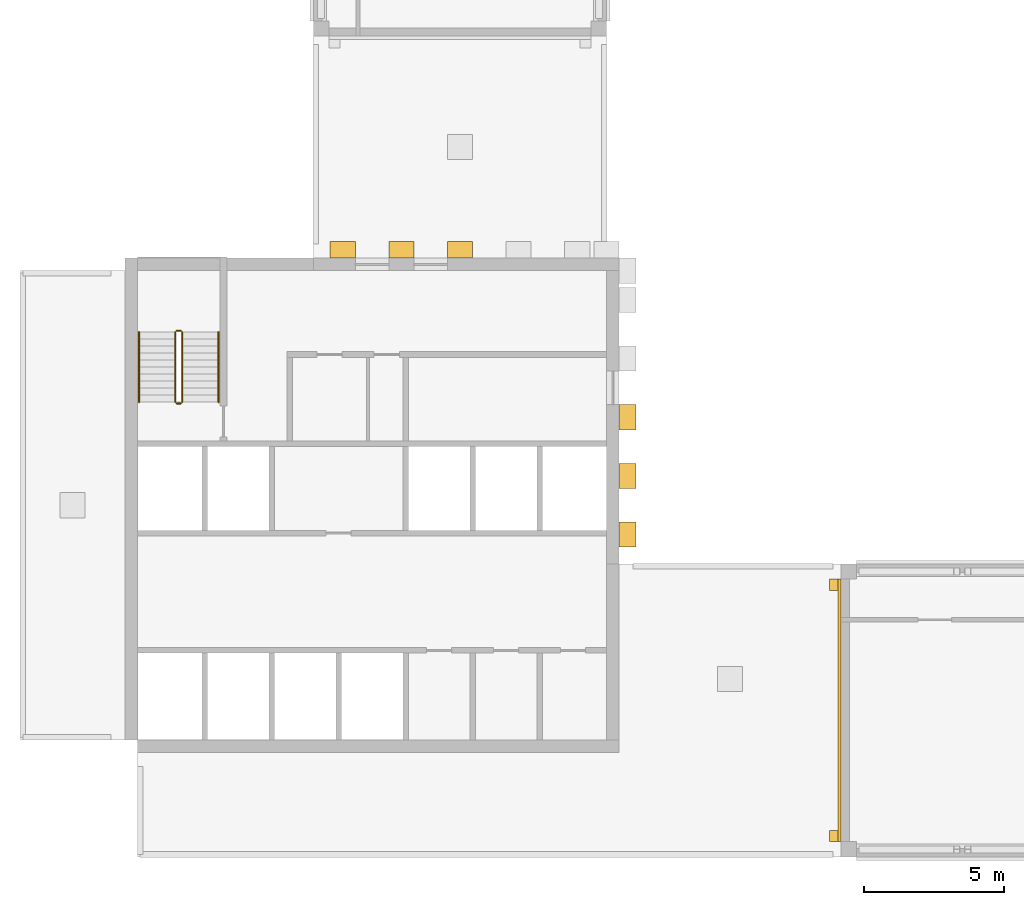
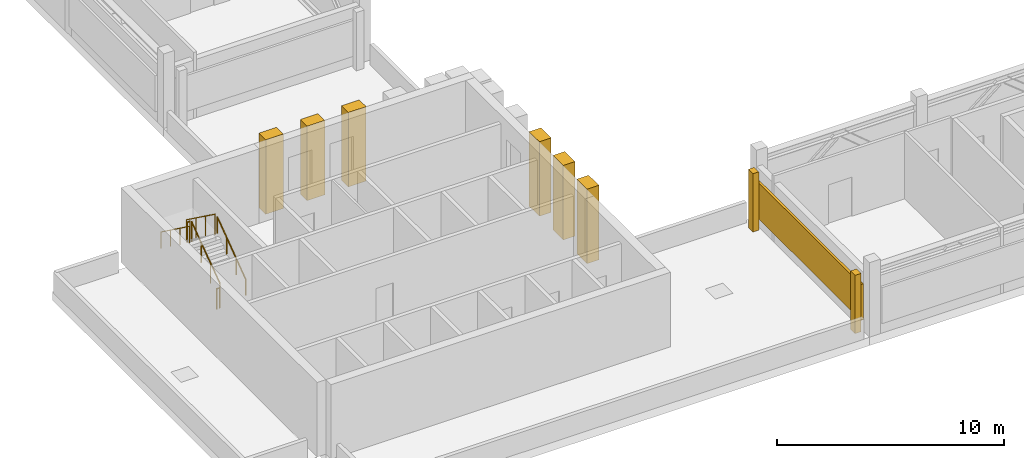
# One storey, part 4 of 8: 9 coverings, 6 railings.
"""IFC4 building model written with IfcOpenShell, lengths in metres."""

from ifc_helpers import new_model, si_unit, direction, frame, origin, origin_2d, place, context, subcontext, project, spatial, rectangle, circle, extrude, source, transform, mapped, material, type_object, element, save


model = new_model("IFC4")

# Units and contexts
model_context = context("Model", 3, precision=1e-05, world=origin(), true_north=direction((0.0, 1.0)))
body_context = subcontext(model_context, "Body", "Model", "MODEL_VIEW")
ifc_project = project(units=[si_unit("LENGTHUNIT", "METRE"), si_unit("AREAUNIT", "SQUARE_METRE"), si_unit("VOLUMEUNIT", "CUBIC_METRE"), si_unit("PLANEANGLEUNIT", "RADIAN"), si_unit("MASSUNIT", "GRAM", prefix="KILO")], contexts=[model_context])

# Site, building, storey
site_placement = place(None, origin())
site = spatial("IfcSite", under=ifc_project, at=site_placement, CompositionType="ELEMENT")
building_placement = place(site_placement, origin())
building = spatial("IfcBuilding", under=site, at=building_placement, Name="Aurelian Terraces", CompositionType="ELEMENT")
storey_placement = place(building_placement, frame((0.0, 0.0, 368.5)))
storey = spatial("IfcBuildingStorey", under=building, at=storey_placement, Name="L88", CompositionType="ELEMENT", Elevation=368.5)

# Coverings
ifc_material_1 = material(Name="Terracotta rainscreen cladding relief", Category="masonry")
covering_type_1 = type_object("IfcCoveringType", Name="Core spine pier 900x600", PredefinedType="CLADDING", material=ifc_material_1)
covering_1_placement = place(storey_placement, frame((21.75, 11.55, 0.0), z_axis=(0.0, 0.0, 1.0), x_axis=(1.0, 0.0, 0.0)))
element("IfcCovering", 1, at=covering_1_placement, inside=storey, type_object=covering_type_1, Name="Spine pier L88 E1", PredefinedType="CLADDING", context=body_context, shape_type="SweptSolid", body=[
    extrude(rectangle(XDim=0.6, YDim=0.9, at=origin_2d()), origin(), (0.0, 0.0, 1.0), 4.0),
])
covering_2_placement = place(storey_placement, frame((11.55, 21.75, 0.0), z_axis=(0.0, 0.0, 1.0), x_axis=(1.0, 0.0, 0.0)))
element("IfcCovering", 2, at=covering_2_placement, inside=storey, type_object=covering_type_1, Name="Spine pier L88 N6", PredefinedType="CLADDING", context=body_context, shape_type="SweptSolid", body=[
    extrude(rectangle(XDim=0.9, YDim=0.6, at=origin_2d()), origin(), (0.0, 0.0, 1.0), 4.0),
])
ifc_material_2 = material(Name="Terracotta rainscreen cladding louvre blades", Category="masonry")
covering_type_2 = type_object("IfcCoveringType", Name="LOUVRE-TC", PredefinedType="CLADDING", material=ifc_material_2)
covering_3_placement = place(storey_placement, frame((29.34, 5.25, 0.6001), z_axis=(0.0, 0.0, 1.0), x_axis=(1.0, 0.0, 0.0)))
element("IfcCovering", 3, at=covering_3_placement, inside=storey, type_object=covering_type_2, Name="LOUVRE L88 F08", PredefinedType="CLADDING", context=body_context, shape_type="SweptSolid", body=[
    extrude(rectangle(XDim=0.12, YDim=9.4, at=origin_2d()), origin(), (0.0, 0.0, 1.0), 1.9363),
])
covering_type_3 = type_object("IfcCoveringType", Name="FIN-TC", PredefinedType="CLADDING", material=ifc_material_1)
shared_shape_1 = source(origin(), body_context, "Body", "SweptSolid", [
    extrude(rectangle(XDim=0.3, YDim=0.4, at=origin_2d()), origin(), (0.0, 0.0, 1.0), 3.1363),
])
for number, where, z_axis, x_axis, name in (
    (4, (29.13, 9.75, 0.0), (0.0, 0.0, 1.0), (1.0, 0.0, 0.0), "FIN crown L88 F08"),
    (5, (29.13, 0.75, 0.0), (0.0, 0.0, 1.0), (1.0, 0.0, 0.0), "FIN crown L88 F08"),
):
    element("IfcCovering", number, at=place(storey_placement, frame(where, z_axis=z_axis, x_axis=x_axis)), inside=storey, type_object=covering_type_3, Name=name, PredefinedType="CLADDING", context=body_context, shape_type="MappedRepresentation", body=[
        mapped(shared_shape_1, transform((0.0, 0.0, 0.0), scale=1.0)),
    ])

# Railings
ifc_material_3 = material(Name="Stainless steel", Category="steel")
railing_type_1 = type_object("IfcRailingType", Name="Stair guard 1100", PredefinedType="GUARDRAIL", material=ifc_material_3)
shared_shape_2 = source(origin(), body_context, "Body", "SweptSolid", [
    extrude(circle(Radius=0.024, at=origin_2d()), frame((0.0, 0.0, 1.076), z_axis=(-1.0, 0.0, 0.0), x_axis=(0.0, -1.0, 0.0)), (0.0, 0.0, 1.0), 0.15),
    extrude(circle(Radius=0.021, at=origin_2d()), origin(), (0.0, 0.0, 1.0), 1.052),
    extrude(circle(Radius=0.021, at=origin_2d()), frame((-0.15, 0.0, 0.0)), (0.0, 0.0, 1.0), 1.052),
])
for number, where, name in (
    (6, (5.75, 18.85, 2.0), "L88 S1 stair guard 2"),
    (7, (5.75, 16.25, 0.0), "L88 S1 stair guard 4"),
):
    element("IfcRailing", number, at=place(storey_placement, frame(where)), inside=storey, type_object=railing_type_1, Name=name, PredefinedType="GUARDRAIL", context=body_context, shape_type="MappedRepresentation", body=[
        mapped(shared_shape_2, transform((0.0, 0.0, 0.0), scale=1.0)),
    ])
shared_shape_3 = source(origin(), body_context, "Body", "SweptSolid", [
    extrude(circle(Radius=0.024, at=origin_2d()), frame((0.0, 0.0, 1.076), z_axis=(0.0, 0.808733286514, 0.588175544616), x_axis=(-1.0, 0.0, 0.0)), (0.0, 0.0, 1.0), 3.0913),
    extrude(circle(Radius=0.021, at=origin_2d()), origin(), (0.0, 0.0, 1.0), 1.052),
    extrude(circle(Radius=0.021, at=origin_2d()), frame((0.0, 0.8333, 0.6061)), (0.0, 0.0, 1.0), 1.052),
    extrude(circle(Radius=0.021, at=origin_2d()), frame((0.0, 1.6667, 1.2121)), (0.0, 0.0, 1.0), 1.052),
    extrude(circle(Radius=0.021, at=origin_2d()), frame((0.0, 2.5, 1.8182)), (0.0, 0.0, 1.0), 1.052),
])
railing_1_placement = place(storey_placement, frame((5.8, 16.3, 0.1818)))
element("IfcRailing", 8, at=railing_1_placement, inside=storey, type_object=railing_type_1, Name="L88 S1 stair guard 1", PredefinedType="GUARDRAIL", context=body_context, shape_type="MappedRepresentation", body=[
    mapped(shared_shape_3, transform((0.0, 0.0, 0.0), scale=1.0)),
])
shared_shape_4 = source(origin(), body_context, "Body", "SweptSolid", [
    extrude(circle(Radius=0.024, at=origin_2d()), frame((0.0, 0.0, 1.076), z_axis=(0.0, -0.808733286514, 0.588175544616), x_axis=(1.0, 0.0, 0.0)), (0.0, 0.0, 1.0), 3.0913),
    extrude(circle(Radius=0.021, at=origin_2d()), origin(), (0.0, 0.0, 1.0), 1.052),
    extrude(circle(Radius=0.021, at=origin_2d()), frame((0.0, -0.8333, 0.6061)), (0.0, 0.0, 1.0), 1.052),
    extrude(circle(Radius=0.021, at=origin_2d()), frame((0.0, -1.6667, 1.2121)), (0.0, 0.0, 1.0), 1.052),
    extrude(circle(Radius=0.021, at=origin_2d()), frame((0.0, -2.5, 1.8182)), (0.0, 0.0, 1.0), 1.052),
])
railing_2_placement = place(storey_placement, frame((5.55, 18.8, 2.1818)))
element("IfcRailing", 9, at=railing_2_placement, inside=storey, type_object=railing_type_1, Name="L88 S1 stair guard 3", PredefinedType="GUARDRAIL", context=body_context, shape_type="MappedRepresentation", body=[
    mapped(shared_shape_4, transform((0.0, 0.0, 0.0), scale=1.0)),
])
railing_type_2 = type_object("IfcRailingType", Name="Stair handrail", PredefinedType="HANDRAIL", material=ifc_material_3)
shared_shape_5 = source(origin(), body_context, "Body", "SweptSolid", [
    extrude(circle(Radius=0.024, at=origin_2d()), frame((0.0, 0.0, 0.876), z_axis=(0.0, 0.808733286514, 0.588175544616), x_axis=(-1.0, 0.0, 0.0)), (0.0, 0.0, 1.0), 3.0913),
    extrude(circle(Radius=0.021, at=origin_2d()), origin(), (0.0, 0.0, 1.0), 0.852),
    extrude(circle(Radius=0.021, at=origin_2d()), frame((0.0, 0.8333, 0.6061)), (0.0, 0.0, 1.0), 0.852),
    extrude(circle(Radius=0.021, at=origin_2d()), frame((0.0, 1.6667, 1.2121)), (0.0, 0.0, 1.0), 0.852),
    extrude(circle(Radius=0.021, at=origin_2d()), frame((0.0, 2.5, 1.8182)), (0.0, 0.0, 1.0), 0.852),
])
railing_3_placement = place(storey_placement, frame((7.1, 16.3, 0.1818)))
element("IfcRailing", 10, at=railing_3_placement, inside=storey, type_object=railing_type_2, Name="L88 S1 stair handrail 1", PredefinedType="HANDRAIL", context=body_context, shape_type="MappedRepresentation", body=[
    mapped(shared_shape_5, transform((0.0, 0.0, 0.0), scale=1.0)),
])
shared_shape_6 = source(origin(), body_context, "Body", "SweptSolid", [
    extrude(circle(Radius=0.024, at=origin_2d()), frame((0.0, 0.0, 0.876), z_axis=(0.0, -0.808733286514, 0.588175544616), x_axis=(1.0, 0.0, 0.0)), (0.0, 0.0, 1.0), 3.0913),
    extrude(circle(Radius=0.021, at=origin_2d()), origin(), (0.0, 0.0, 1.0), 0.852),
    extrude(circle(Radius=0.021, at=origin_2d()), frame((0.0, -0.8333, 0.6061)), (0.0, 0.0, 1.0), 0.852),
    extrude(circle(Radius=0.021, at=origin_2d()), frame((0.0, -1.6667, 1.2121)), (0.0, 0.0, 1.0), 0.852),
    extrude(circle(Radius=0.021, at=origin_2d()), frame((0.0, -2.5, 1.8182)), (0.0, 0.0, 1.0), 0.852),
])
railing_4_placement = place(storey_placement, frame((4.25, 18.8, 2.1818)))
element("IfcRailing", 11, at=railing_4_placement, inside=storey, type_object=railing_type_2, Name="L88 S1 stair handrail 2", PredefinedType="HANDRAIL", context=body_context, shape_type="MappedRepresentation", body=[
    mapped(shared_shape_6, transform((0.0, 0.0, 0.0), scale=1.0)),
])

# Coverings
shared_shape_7 = source(origin(), body_context, "Body", "SweptSolid", [
    extrude(rectangle(XDim=0.6, YDim=0.9, at=origin_2d()), origin(), (0.0, 0.0, 1.0), 4.0),
])
for number, where, z_axis, x_axis, name in (
    (12, (21.75, 13.65, 0.0), (0.0, 0.0, 1.0), (1.0, 0.0, 0.0), "Spine pier L88 E2"),
    (13, (21.75, 15.75, 0.0), (0.0, 0.0, 1.0), (1.0, 0.0, 0.0), "Spine pier L88 E3"),
):
    element("IfcCovering", number, at=place(storey_placement, frame(where, z_axis=z_axis, x_axis=x_axis)), inside=storey, type_object=covering_type_1, Name=name, PredefinedType="CLADDING", context=body_context, shape_type="MappedRepresentation", body=[
        mapped(shared_shape_7, transform((0.0, 0.0, 0.0), scale=1.0)),
    ])
shared_shape_8 = source(origin(), body_context, "Body", "SweptSolid", [
    extrude(rectangle(XDim=0.9, YDim=0.6, at=origin_2d()), origin(), (0.0, 0.0, 1.0), 4.0),
])
for number, where, z_axis, x_axis, name in (
    (14, (13.65, 21.75, 0.0), (0.0, 0.0, 1.0), (1.0, 0.0, 0.0), "Spine pier L88 N7"),
    (15, (15.75, 21.75, 0.0), (0.0, 0.0, 1.0), (1.0, 0.0, 0.0), "Spine pier L88 N8"),
):
    element("IfcCovering", number, at=place(storey_placement, frame(where, z_axis=z_axis, x_axis=x_axis)), inside=storey, type_object=covering_type_1, Name=name, PredefinedType="CLADDING", context=body_context, shape_type="MappedRepresentation", body=[
        mapped(shared_shape_8, transform((0.0, 0.0, 0.0), scale=1.0)),
    ])

save(model, "model.ifc")
